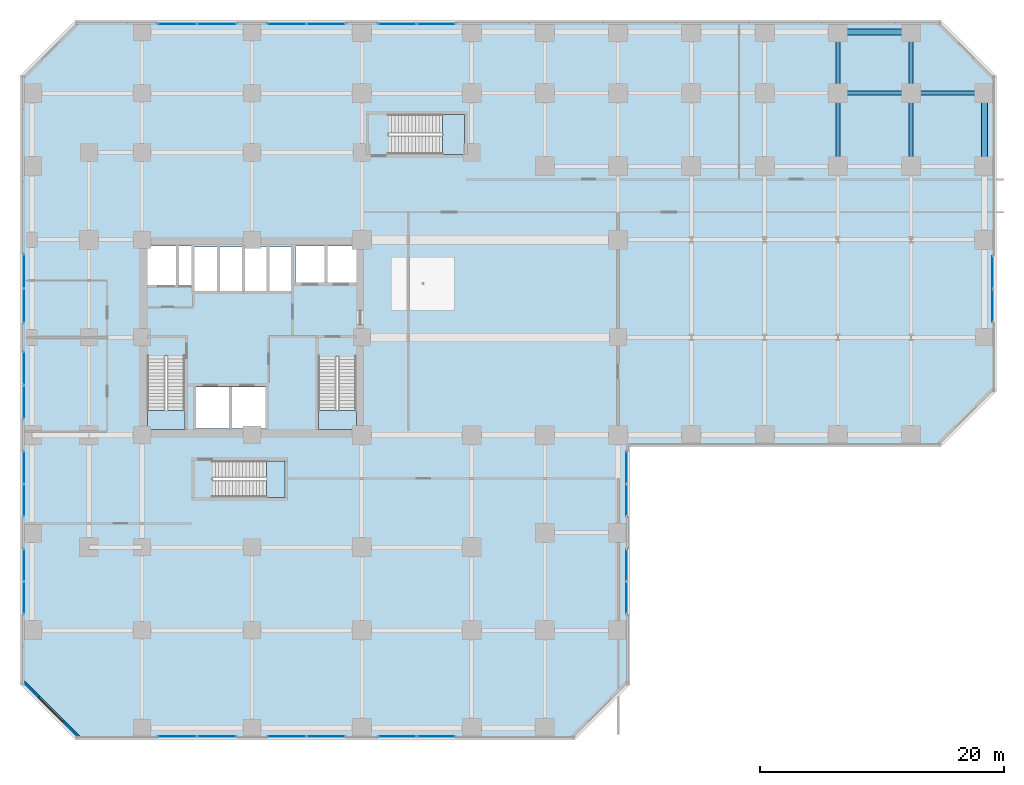
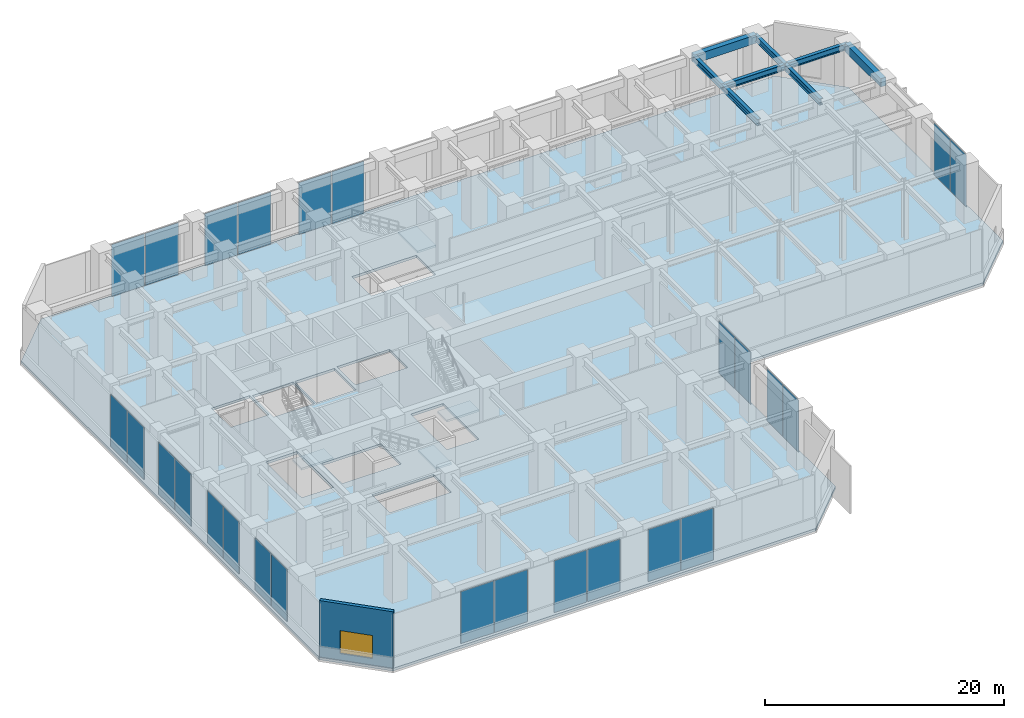
# One storey, part 23 of 34: 26 plates, 8 beams, 5 slabs, 1 wall, 1 window, 1 opening, 17 elements without a shape of their own.
"""IFC4 building model written with IfcOpenShell, lengths in metres."""

from ifc_helpers import new_model, si_unit, direction, frame, frame_2d, origin, origin_2d, place, context, subcontext, project, spatial, polyline, rectangle, i_section, outline, extrude, source, transform, mapped, material, layer, layer_set, material_profile, profile_set, type_object, element, fill, aggregate, save


model = new_model("IFC4")

# Units and contexts
model_context = context("Model", 3, precision=1e-05, world=origin(), true_north=direction((0.0, 1.0)))
body_context = subcontext(model_context, "Body", "Model", "MODEL_VIEW")
ifc_project = project(units=[si_unit("LENGTHUNIT", "METRE"), si_unit("AREAUNIT", "SQUARE_METRE"), si_unit("VOLUMEUNIT", "CUBIC_METRE"), si_unit("PLANEANGLEUNIT", "RADIAN"), si_unit("MASSUNIT", "GRAM", prefix="KILO")], contexts=[model_context])

# Site, building, storey
site_placement = place(None, origin())
site = spatial("IfcSite", under=ifc_project, at=site_placement, CompositionType="ELEMENT")
building_placement = place(site_placement, origin())
building = spatial("IfcBuilding", under=site, at=building_placement, Name="Torre Montelarca", CompositionType="ELEMENT")
storey_placement = place(building_placement, frame((0.0, 0.0, 6.0)))
storey = spatial("IfcBuildingStorey", under=building, at=storey_placement, Name="L02", CompositionType="ELEMENT", Elevation=6.0)

# Beams
ifc_material_1 = material(Name="Concrete C55/67", Category="concrete")
ifc_material_profile_1 = material_profile(ifc_material_1, rectangle(XDim=0.5, YDim=0.85009765625, at=origin_2d()), Name="RCB500X850", Category="concrete")
ifc_profile_set_1 = profile_set([ifc_material_profile_1], Name="Concrete C55/67")
beam_type_1 = type_object("IfcBeamType", Name="BM-SP-RC850-EXT", PredefinedType="SPANDREL", material=ifc_profile_set_1)
shared_shape_1 = source(origin(), body_context, "Body", "SweptSolid", [
    extrude(rectangle(XDim=0.5, YDim=0.85009765625, at=origin_2d()), origin(), (0.0, 0.0, 1.0), 6.0),
])
for number, where, z_axis, x_axis, name in (
    (1, (66.0, 57.0, 5.31494140625), (1.0, 0.0, 0.0), (0.0, 1.0, 0.0), "L02 Grid Girder X 66.0-72.0 at Y=57.0"),
    (2, (78.0, 46.0, 5.31494140625), (0.0, 1.0, 0.0), (-1.0, 0.0, 0.0), "L02 Grid Girder Y 46.0-52.0 at X=78.0"),
):
    element("IfcBeam", number, at=place(storey_placement, frame(where, z_axis=z_axis, x_axis=x_axis)), inside=storey, type_object=beam_type_1, Name=name, PredefinedType="SPANDREL", context=body_context, shape_type="MappedRepresentation", body=[
        mapped(shared_shape_1, transform((0.0, 0.0, 0.0), scale=1.0)),
    ])
ifc_material_2 = material(Name="Steel ASTM A992 Grade 50", Category="steel")
ifc_material_profile_2 = material_profile(ifc_material_2, i_section(OverallWidth=0.326904296875, OverallDepth=0.6220703125, WebThickness=0.015380859375, FlangeThickness=0.0244140625, FilletRadius=0.014892578125, at=origin_2d()), Name="W610X195", Category="steel")
ifc_profile_set_2 = profile_set([ifc_material_profile_2], Name="Steel ASTM A992 Grade 50")
beam_type_2 = type_object("IfcBeamType", Name="BM-G-W610H", PredefinedType="BEAM", material=ifc_profile_set_2)
shared_shape_2 = source(origin(), body_context, "Body", "SweptSolid", [
    extrude(i_section(OverallWidth=0.326904296875, OverallDepth=0.6220703125, WebThickness=0.015380859375, FlangeThickness=0.0244140625, FilletRadius=0.014892578125, at=origin_2d()), origin(), (0.0, 0.0, 1.0), 6.0),
])
for number, where, z_axis, x_axis, name in (
    (3, (66.0, 52.0, 5.428955078125), (1.0, 0.0, 0.0), (0.0, 1.0, 0.0), "L02 Grid Girder X 66.0-72.0 at Y=52.0"),
    (4, (72.0, 52.0, 5.428955078125), (1.0, 0.0, 0.0), (0.0, 1.0, 0.0), "L02 Grid Girder X 72.0-78.0 at Y=52.0"),
    (5, (66.0, 46.0, 5.428955078125), (0.0, 1.0, 0.0), (-1.0, 0.0, 0.0), "L02 Grid Girder Y 46.0-52.0 at X=66.0"),
    (6, (72.0, 46.0, 5.428955078125), (0.0, 1.0, 0.0), (-1.0, 0.0, 0.0), "L02 Grid Girder Y 46.0-52.0 at X=72.0"),
):
    element("IfcBeam", number, at=place(storey_placement, frame(where, z_axis=z_axis, x_axis=x_axis)), inside=storey, type_object=beam_type_2, Name=name, PredefinedType="BEAM", context=body_context, shape_type="MappedRepresentation", body=[
        mapped(shared_shape_2, transform((0.0, 0.0, 0.0), scale=1.0)),
    ])
shared_shape_3 = source(origin(), body_context, "Body", "SweptSolid", [
    extrude(i_section(OverallWidth=0.326904296875, OverallDepth=0.6220703125, WebThickness=0.015380859375, FlangeThickness=0.0244140625, FilletRadius=0.014892578125, at=origin_2d()), origin(), (0.0, 0.0, 1.0), 5.0),
])
for number, where, z_axis, x_axis, name in (
    (7, (66.0, 52.0, 5.428955078125), (0.0, 1.0, 0.0), (-1.0, 0.0, 0.0), "L02 Grid Girder Y 52.0-57.0 at X=66.0"),
    (8, (72.0, 52.0, 5.428955078125), (0.0, 1.0, 0.0), (-1.0, 0.0, 0.0), "L02 Grid Girder Y 52.0-57.0 at X=72.0"),
):
    element("IfcBeam", number, at=place(storey_placement, frame(where, z_axis=z_axis, x_axis=x_axis)), inside=storey, type_object=beam_type_2, Name=name, PredefinedType="BEAM", context=body_context, shape_type="MappedRepresentation", body=[
        mapped(shared_shape_3, transform((0.0, 0.0, 0.0), scale=1.0)),
    ])

# Slab
ifc_material_3 = material(Name="Concrete C40/50", Category="concrete")
ifc_layer_1 = layer(ifc_material_3, 0.260009765625, Name="Concrete C40/50", Category="concrete")
ifc_layer_set_1 = layer_set([ifc_layer_1], Name="Concrete C40/50")
slab_type_1 = type_object("IfcSlabType", Name="SL-FLR-260", PredefinedType="FLOOR", material=ifc_layer_set_1)
slab_1_placement = place(storey_placement, frame((0.0, 0.0, -0.260009765625)))
element("IfcSlab", 9, at=slab_1_placement, inside=storey, type_object=slab_type_1, Name="L02 Structural Floor Slab", PredefinedType="FLOOR", context=body_context, shape_type="SweptSolid", body=[
    extrude(outline(polyline([(44.39990234375, -0.89990234375), (48.89990234375, 3.60009765625), (48.89990234375, 23.10009765625), (74.39990234375, 23.10009765625), (78.89990234375, 27.60009765625), (78.89990234375, 53.39990234375), (74.39990234375, 57.89990234375), (3.60009765625, 57.89990234375), (-0.89990234375, 53.39990234375), (-0.89990234375, 3.60009765625), (3.60009765625, -0.89990234375), (44.39990234375, -0.89990234375)]), holes=[polyline([(20.699951171875, 18.89990234375), (14.760009765625, 18.89990234375), (14.760009765625, 21.889892578125), (20.699951171875, 21.889892578125), (20.699951171875, 18.89990234375)]), polyline([(19.10009765625, 24.550048828125), (13.39990234375, 24.550048828125), (13.39990234375, 27.949951171875), (19.10009765625, 27.949951171875), (19.10009765625, 24.550048828125)]), polyline([(23.43994140625, 24.449951171875), (23.43994140625, 30.429931640625), (26.550048828125, 30.429931640625), (26.550048828125, 24.449951171875), (23.43994140625, 24.449951171875)]), polyline([(9.449951171875, 24.449951171875), (9.449951171875, 30.4599609375), (12.5, 30.4599609375), (12.5, 24.449951171875), (9.449951171875, 24.449951171875)]), polyline([(17.25, 35.800048828125), (13.300048828125, 35.800048828125), (13.300048828125, 39.39990234375), (17.25, 39.39990234375), (17.25, 35.800048828125)]), polyline([(21.25, 35.800048828125), (17.39990234375, 35.800048828125), (17.39990234375, 39.39990234375), (21.25, 39.39990234375), (21.25, 35.800048828125)]), polyline([(13.1201171875, 36.300048828125), (9.449951171875, 36.300048828125), (9.449951171875, 39.5), (13.1201171875, 39.5), (13.1201171875, 36.300048828125)]), polyline([(21.550048828125, 36.449951171875), (21.550048828125, 39.5), (26.60009765625, 39.5), (26.60009765625, 36.449951171875), (21.550048828125, 36.449951171875)]), polyline([(29.18994140625, 47.0), (29.18994140625, 50.25), (35.39990234375, 50.25), (35.39990234375, 47.0), (29.18994140625, 47.0)])]), origin(), (0.0, 0.0, 1.0), 0.260009765625),
])

# Stair, slab
stair_type_1 = type_object("IfcStairType", Name="ST-CORE-ST1", PredefinedType="HALF_TURN_STAIR", material=ifc_material_3)
stair_1_placement = place(storey_placement, origin())
stair_1 = element("IfcStair", 10, at=stair_1_placement, inside=storey, type_object=stair_type_1, Name="L02 Protected Exit Stair ST1", PredefinedType="HALF_TURN_STAIR")
ifc_layer_2 = layer(ifc_material_3, 0.199951171875, Name="Concrete C40/50", Category="concrete")
ifc_layer_set_2 = layer_set([ifc_layer_2], Name="Concrete C40/50")
slab_type_2 = type_object("IfcSlabType", Name="SL-ST-LAND-ST1", PredefinedType="LANDING", material=ifc_layer_set_2)
slab_2_placement = place(storey_placement, frame((0.0, 0.0, 2.800048828125)))
slab_2 = element("IfcSlab", 11, at=slab_2_placement, type_object=slab_type_2, Name="ST1 landing 1", PredefinedType="LANDING", context=body_context, shape_type="SweptSolid", body=[
    extrude(outline(polyline([(9.449951171875, 26.02001953125), (9.449951171875, 24.449951171875), (12.5, 24.449951171875), (12.5, 26.02001953125), (9.449951171875, 26.02001953125)])), origin(), (0.0, 0.0, 1.0), 0.199951171875),
])
aggregate(stair_1, [slab_2])

stair_type_2 = type_object("IfcStairType", Name="ST-CORE-ST2", PredefinedType="HALF_TURN_STAIR", material=ifc_material_3)
stair_2_placement = place(storey_placement, origin())
stair_2 = element("IfcStair", 12, at=stair_2_placement, inside=storey, type_object=stair_type_2, Name="L02 Protected Exit Stair ST2", PredefinedType="HALF_TURN_STAIR")
ifc_layer_3 = layer(ifc_material_3, 0.199951171875, Name="Concrete C40/50", Category="concrete")
ifc_layer_set_3 = layer_set([ifc_layer_3], Name="Concrete C40/50")
slab_type_3 = type_object("IfcSlabType", Name="SL-ST-LAND-ST2", PredefinedType="LANDING", material=ifc_layer_set_3)
slab_3_placement = place(storey_placement, frame((0.0, 0.0, 2.800048828125)))
slab_3 = element("IfcSlab", 13, at=slab_3_placement, type_object=slab_type_3, Name="ST2 landing 1", PredefinedType="LANDING", context=body_context, shape_type="SweptSolid", body=[
    extrude(outline(polyline([(23.43994140625, 25.989990234375), (23.43994140625, 24.449951171875), (26.550048828125, 24.449951171875), (26.550048828125, 25.989990234375), (23.43994140625, 25.989990234375)])), origin(), (0.0, 0.0, 1.0), 0.199951171875),
])
aggregate(stair_2, [slab_3])

stair_type_3 = type_object("IfcStairType", Name="ST-CORE-ST3", PredefinedType="HALF_TURN_STAIR", material=ifc_material_3)
stair_3_placement = place(storey_placement, origin())
stair_3 = element("IfcStair", 14, at=stair_3_placement, inside=storey, type_object=stair_type_3, Name="L02 Low-Rise Exit Stair ST3", PredefinedType="HALF_TURN_STAIR")
ifc_layer_4 = layer(ifc_material_3, 0.199951171875, Name="Concrete C40/50", Category="concrete")
ifc_layer_set_4 = layer_set([ifc_layer_4], Name="Concrete C40/50")
slab_type_4 = type_object("IfcSlabType", Name="SL-ST-LAND-ST3", PredefinedType="LANDING", material=ifc_layer_set_4)
slab_4_placement = place(storey_placement, frame((0.0, 0.0, 2.800048828125)))
slab_4 = element("IfcSlab", 15, at=slab_4_placement, type_object=slab_type_4, Name="ST3 landing 1", PredefinedType="LANDING", context=body_context, shape_type="SweptSolid", body=[
    extrude(outline(polyline([(19.199951171875, 18.89990234375), (20.699951171875, 18.89990234375), (20.699951171875, 21.889892578125), (19.199951171875, 21.889892578125), (19.199951171875, 18.89990234375)])), origin(), (0.0, 0.0, 1.0), 0.199951171875),
])
aggregate(stair_3, [slab_4])

stair_type_4 = type_object("IfcStairType", Name="ST-CORE-ST4", PredefinedType="HALF_TURN_STAIR", material=ifc_material_3)
stair_4_placement = place(storey_placement, origin())
stair_4 = element("IfcStair", 16, at=stair_4_placement, inside=storey, type_object=stair_type_4, Name="L02 Podium Exchange Feature Stair ST4", PredefinedType="HALF_TURN_STAIR")
ifc_layer_5 = layer(ifc_material_3, 0.199951171875, Name="Concrete C40/50", Category="concrete")
ifc_layer_set_5 = layer_set([ifc_layer_5], Name="Concrete C40/50")
slab_type_5 = type_object("IfcSlabType", Name="SL-ST-LAND-ST4", PredefinedType="LANDING", material=ifc_layer_set_5)
slab_5_placement = place(storey_placement, frame((0.0, 0.0, 2.800048828125)))
slab_5 = element("IfcSlab", 17, at=slab_5_placement, type_object=slab_type_5, Name="ST4 landing 1", PredefinedType="LANDING", context=body_context, shape_type="SweptSolid", body=[
    extrude(outline(polyline([(33.6298828125, 47.0), (35.39990234375, 47.0), (35.39990234375, 50.25), (33.6298828125, 50.25), (33.6298828125, 47.0)])), origin(), (0.0, 0.0, 1.0), 0.199951171875),
])
aggregate(stair_4, [slab_5])

# Curtain wall, plates
ifc_material_4 = material(Name="Insulated low-E laminated glass", Category="glass")
curtain_wall_type = type_object("IfcCurtainWallType", Name="CW-SYS-POD2", PredefinedType="USERDEFINED", material=ifc_material_4)
curtain_wall_1_placement = place(storey_placement, origin())
curtain_wall_1 = element("IfcCurtainWall", 18, at=curtain_wall_1_placement, inside=storey, type_object=curtain_wall_type, Name="L02 Curtain Wall Run CW-T3-L02-E01-B1", ObjectType="UNITISED GLAZING", PredefinedType="USERDEFINED")
ifc_layer_6 = layer(ifc_material_4, 0.035888671875, Name="Insulated low-E laminated glass", Category="glass")
ifc_layer_set_6 = layer_set([ifc_layer_6], Name="Insulated low-E laminated glass")
plate_type = type_object("IfcPlateType", Name="CWP-GLZ-36", PredefinedType="CURTAIN_PANEL", material=ifc_layer_set_6)
shared_shape_4 = source(origin(), body_context, "Body", "SweptSolid", [
    extrude(rectangle(XDim=3.1826171875, YDim=0.035888671875, at=origin_2d()), origin(), (0.0, 0.0, 1.0), 5.300048828125),
])
plate_1_placement = place(storey_placement, frame((11.871337890625, -0.679931640625, 0.0751953125), z_axis=(0.0, 0.0, 1.0), x_axis=(1.0, 0.0, 0.0)))
plate_1 = element("IfcPlate", 19, at=plate_1_placement, type_object=plate_type, Name="CW panel 1.1", PredefinedType="CURTAIN_PANEL", context=body_context, shape_type="MappedRepresentation", body=[
    mapped(shared_shape_4, transform((0.0, 0.0, 0.0), scale=1.0)),
])
plate_2_placement = place(storey_placement, frame((15.128662109375, -0.679931640625, 0.0751953125), z_axis=(0.0, 0.0, 1.0), x_axis=(1.0, 0.0, 0.0)))
plate_2 = element("IfcPlate", 20, at=plate_2_placement, type_object=plate_type, Name="CW panel 2.1", PredefinedType="CURTAIN_PANEL", context=body_context, shape_type="MappedRepresentation", body=[
    mapped(shared_shape_4, transform((0.0, 0.0, 0.0), scale=1.0)),
])
aggregate(curtain_wall_1, [plate_1, plate_2])

curtain_wall_2_placement = place(storey_placement, origin())
curtain_wall_2 = element("IfcCurtainWall", 21, at=curtain_wall_2_placement, inside=storey, type_object=curtain_wall_type, Name="L02 Curtain Wall Run CW-T3-L02-E08-B3", ObjectType="UNITISED GLAZING", PredefinedType="USERDEFINED")
plate_3_placement = place(storey_placement, frame((15.128662109375, 57.679931640625, 0.0751953125), z_axis=(0.0, 0.0, 1.0), x_axis=(-1.0, 0.0, 0.0)))
plate_3 = element("IfcPlate", 22, at=plate_3_placement, type_object=plate_type, Name="CW panel 1.1", PredefinedType="CURTAIN_PANEL", context=body_context, shape_type="MappedRepresentation", body=[
    mapped(shared_shape_4, transform((0.0, 0.0, 0.0), scale=1.0)),
])
plate_4_placement = place(storey_placement, frame((11.871337890625, 57.679931640625, 0.0751953125), z_axis=(0.0, 0.0, 1.0), x_axis=(-1.0, 0.0, 0.0)))
plate_4 = element("IfcPlate", 23, at=plate_4_placement, type_object=plate_type, Name="CW panel 2.1", PredefinedType="CURTAIN_PANEL", context=body_context, shape_type="MappedRepresentation", body=[
    mapped(shared_shape_4, transform((0.0, 0.0, 0.0), scale=1.0)),
])
aggregate(curtain_wall_2, [plate_3, plate_4])

curtain_wall_3_placement = place(storey_placement, origin())
curtain_wall_3 = element("IfcCurtainWall", 24, at=curtain_wall_3_placement, inside=storey, type_object=curtain_wall_type, Name="L02 Curtain Wall Run CW-T3-L02-E01-B2", ObjectType="UNITISED GLAZING", PredefinedType="USERDEFINED")
shared_shape_5 = source(origin(), body_context, "Body", "SweptSolid", [
    extrude(rectangle(XDim=3.14501953125, YDim=0.035888671875, at=origin_2d()), origin(), (0.0, 0.0, 1.0), 5.300048828125),
])
plate_5_placement = place(storey_placement, frame((20.8525390625, -0.679931640625, 0.0751953125), z_axis=(0.0, 0.0, 1.0), x_axis=(1.0, 0.0, 0.0)))
plate_5 = element("IfcPlate", 25, at=plate_5_placement, type_object=plate_type, Name="CW panel 1.1", PredefinedType="CURTAIN_PANEL", context=body_context, shape_type="MappedRepresentation", body=[
    mapped(shared_shape_5, transform((0.0, 0.0, 0.0), scale=1.0)),
])
plate_6_placement = place(storey_placement, frame((24.072509765625, -0.679931640625, 0.0751953125), z_axis=(0.0, 0.0, 1.0), x_axis=(1.0, 0.0, 0.0)))
plate_6 = element("IfcPlate", 26, at=plate_6_placement, type_object=plate_type, Name="CW panel 2.1", PredefinedType="CURTAIN_PANEL", context=body_context, shape_type="MappedRepresentation", body=[
    mapped(shared_shape_5, transform((0.0, 0.0, 0.0), scale=1.0)),
])
aggregate(curtain_wall_3, [plate_5, plate_6])

curtain_wall_4_placement = place(storey_placement, origin())
curtain_wall_4 = element("IfcCurtainWall", 27, at=curtain_wall_4_placement, inside=storey, type_object=curtain_wall_type, Name="L02 Curtain Wall Run CW-T3-L02-E08-B2", ObjectType="UNITISED GLAZING", PredefinedType="USERDEFINED")
plate_7_placement = place(storey_placement, frame((24.072509765625, 57.679931640625, 0.0751953125), z_axis=(0.0, 0.0, 1.0), x_axis=(-1.0, 0.0, 0.0)))
plate_7 = element("IfcPlate", 28, at=plate_7_placement, type_object=plate_type, Name="CW panel 1.1", PredefinedType="CURTAIN_PANEL", context=body_context, shape_type="MappedRepresentation", body=[
    mapped(shared_shape_5, transform((0.0, 0.0, 0.0), scale=1.0)),
])
plate_8_placement = place(storey_placement, frame((20.8525390625, 57.679931640625, 0.0751953125), z_axis=(0.0, 0.0, 1.0), x_axis=(-1.0, 0.0, 0.0)))
plate_8 = element("IfcPlate", 29, at=plate_8_placement, type_object=plate_type, Name="CW panel 2.1", PredefinedType="CURTAIN_PANEL", context=body_context, shape_type="MappedRepresentation", body=[
    mapped(shared_shape_5, transform((0.0, 0.0, 0.0), scale=1.0)),
])
aggregate(curtain_wall_4, [plate_7, plate_8])

curtain_wall_5_placement = place(storey_placement, origin())
curtain_wall_5 = element("IfcCurtainWall", 30, at=curtain_wall_5_placement, inside=storey, type_object=curtain_wall_type, Name="L02 Curtain Wall Run CW-T3-L02-E01-B3", ObjectType="UNITISED GLAZING", PredefinedType="USERDEFINED")
shared_shape_6 = source(origin(), body_context, "Body", "SweptSolid", [
    extrude(rectangle(XDim=3.107421875, YDim=0.035888671875, at=origin_2d()), origin(), (0.0, 0.0, 1.0), 5.300048828125),
])
plate_9_placement = place(storey_placement, frame((29.90869140625, -0.679931640625, 0.0751953125), z_axis=(0.0, 0.0, 1.0), x_axis=(1.0, 0.0, 0.0)))
plate_9 = element("IfcPlate", 31, at=plate_9_placement, type_object=plate_type, Name="CW panel 1.1", PredefinedType="CURTAIN_PANEL", context=body_context, shape_type="MappedRepresentation", body=[
    mapped(shared_shape_6, transform((0.0, 0.0, 0.0), scale=1.0)),
])
plate_10_placement = place(storey_placement, frame((33.09130859375, -0.679931640625, 0.0751953125), z_axis=(0.0, 0.0, 1.0), x_axis=(1.0, 0.0, 0.0)))
plate_10 = element("IfcPlate", 32, at=plate_10_placement, type_object=plate_type, Name="CW panel 2.1", PredefinedType="CURTAIN_PANEL", context=body_context, shape_type="MappedRepresentation", body=[
    mapped(shared_shape_6, transform((0.0, 0.0, 0.0), scale=1.0)),
])
aggregate(curtain_wall_5, [plate_9, plate_10])

curtain_wall_6_placement = place(storey_placement, origin())
curtain_wall_6 = element("IfcCurtainWall", 33, at=curtain_wall_6_placement, inside=storey, type_object=curtain_wall_type, Name="L02 Curtain Wall Run CW-T3-L02-E08-B1", ObjectType="UNITISED GLAZING", PredefinedType="USERDEFINED")
plate_11_placement = place(storey_placement, frame((33.09130859375, 57.679931640625, 0.0751953125), z_axis=(0.0, 0.0, 1.0), x_axis=(-1.0, 0.0, 0.0)))
plate_11 = element("IfcPlate", 34, at=plate_11_placement, type_object=plate_type, Name="CW panel 1.1", PredefinedType="CURTAIN_PANEL", context=body_context, shape_type="MappedRepresentation", body=[
    mapped(shared_shape_6, transform((0.0, 0.0, 0.0), scale=1.0)),
])
plate_12_placement = place(storey_placement, frame((29.90869140625, 57.679931640625, 0.0751953125), z_axis=(0.0, 0.0, 1.0), x_axis=(-1.0, 0.0, 0.0)))
plate_12 = element("IfcPlate", 35, at=plate_12_placement, type_object=plate_type, Name="CW panel 2.1", PredefinedType="CURTAIN_PANEL", context=body_context, shape_type="MappedRepresentation", body=[
    mapped(shared_shape_6, transform((0.0, 0.0, 0.0), scale=1.0)),
])
aggregate(curtain_wall_6, [plate_11, plate_12])

curtain_wall_7_placement = place(storey_placement, origin())
curtain_wall_7 = element("IfcCurtainWall", 36, at=curtain_wall_7_placement, inside=storey, type_object=curtain_wall_type, Name="L02 Curtain Wall Run CW-T3-L02-E03-B1", ObjectType="UNITISED GLAZING", PredefinedType="USERDEFINED")
shared_shape_7 = source(origin(), body_context, "Body", "SweptSolid", [
    extrude(rectangle(XDim=2.607421875, YDim=0.035888671875, at=origin_2d()), origin(), (0.0, 0.0, 1.0), 5.300048828125),
])
plate_13_placement = place(storey_placement, frame((48.679931640625, 10.65869140625, 0.0751953125), z_axis=(0.0, 0.0, 1.0), x_axis=(0.0, 1.0, 0.0)))
plate_13 = element("IfcPlate", 37, at=plate_13_placement, type_object=plate_type, Name="CW panel 1.1", PredefinedType="CURTAIN_PANEL", context=body_context, shape_type="MappedRepresentation", body=[
    mapped(shared_shape_7, transform((0.0, 0.0, 0.0), scale=1.0)),
])
plate_14_placement = place(storey_placement, frame((48.679931640625, 13.34130859375, 0.0751953125), z_axis=(0.0, 0.0, 1.0), x_axis=(0.0, 1.0, 0.0)))
plate_14 = element("IfcPlate", 38, at=plate_14_placement, type_object=plate_type, Name="CW panel 2.1", PredefinedType="CURTAIN_PANEL", context=body_context, shape_type="MappedRepresentation", body=[
    mapped(shared_shape_7, transform((0.0, 0.0, 0.0), scale=1.0)),
])
aggregate(curtain_wall_7, [plate_13, plate_14])

curtain_wall_8_placement = place(storey_placement, origin())
curtain_wall_8 = element("IfcCurtainWall", 39, at=curtain_wall_8_placement, inside=storey, type_object=curtain_wall_type, Name="L02 Curtain Wall Run CW-T3-L02-E03-B2", ObjectType="UNITISED GLAZING", PredefinedType="USERDEFINED")
plate_15_placement = place(storey_placement, frame((48.679931640625, 18.65869140625, 0.0751953125), z_axis=(0.0, 0.0, 1.0), x_axis=(0.0, 1.0, 0.0)))
plate_15 = element("IfcPlate", 40, at=plate_15_placement, type_object=plate_type, Name="CW panel 1.1", PredefinedType="CURTAIN_PANEL", context=body_context, shape_type="MappedRepresentation", body=[
    mapped(shared_shape_7, transform((0.0, 0.0, 0.0), scale=1.0)),
])
plate_16_placement = place(storey_placement, frame((48.679931640625, 21.34130859375, 0.0751953125), z_axis=(0.0, 0.0, 1.0), x_axis=(0.0, 1.0, 0.0)))
plate_16 = element("IfcPlate", 41, at=plate_16_placement, type_object=plate_type, Name="CW panel 2.1", PredefinedType="CURTAIN_PANEL", context=body_context, shape_type="MappedRepresentation", body=[
    mapped(shared_shape_7, transform((0.0, 0.0, 0.0), scale=1.0)),
])
aggregate(curtain_wall_8, [plate_15, plate_16])

curtain_wall_9_placement = place(storey_placement, origin())
curtain_wall_9 = element("IfcCurtainWall", 42, at=curtain_wall_9_placement, inside=storey, type_object=curtain_wall_type, Name="L02 Curtain Wall Run CW-T3-L02-E10-B3", ObjectType="UNITISED GLAZING", PredefinedType="USERDEFINED")
plate_17_placement = place(storey_placement, frame((-0.679931640625, 21.34130859375, 0.0751953125), z_axis=(0.0, 0.0, 1.0), x_axis=(0.0, -1.0, 0.0)))
plate_17 = element("IfcPlate", 43, at=plate_17_placement, type_object=plate_type, Name="CW panel 1.1", PredefinedType="CURTAIN_PANEL", context=body_context, shape_type="MappedRepresentation", body=[
    mapped(shared_shape_7, transform((0.0, 0.0, 0.0), scale=1.0)),
])
plate_18_placement = place(storey_placement, frame((-0.679931640625, 18.65869140625, 0.0751953125), z_axis=(0.0, 0.0, 1.0), x_axis=(0.0, -1.0, 0.0)))
plate_18 = element("IfcPlate", 44, at=plate_18_placement, type_object=plate_type, Name="CW panel 2.1", PredefinedType="CURTAIN_PANEL", context=body_context, shape_type="MappedRepresentation", body=[
    mapped(shared_shape_7, transform((0.0, 0.0, 0.0), scale=1.0)),
])
aggregate(curtain_wall_9, [plate_17, plate_18])

curtain_wall_10_placement = place(storey_placement, origin())
curtain_wall_10 = element("IfcCurtainWall", 45, at=curtain_wall_10_placement, inside=storey, type_object=curtain_wall_type, Name="L02 Curtain Wall Run CW-T3-L02-E10-B4", ObjectType="UNITISED GLAZING", PredefinedType="USERDEFINED")
plate_19_placement = place(storey_placement, frame((-0.679931640625, 13.34130859375, 0.0751953125), z_axis=(0.0, 0.0, 1.0), x_axis=(0.0, -1.0, 0.0)))
plate_19 = element("IfcPlate", 46, at=plate_19_placement, type_object=plate_type, Name="CW panel 1.1", PredefinedType="CURTAIN_PANEL", context=body_context, shape_type="MappedRepresentation", body=[
    mapped(shared_shape_7, transform((0.0, 0.0, 0.0), scale=1.0)),
])
plate_20_placement = place(storey_placement, frame((-0.679931640625, 10.65869140625, 0.0751953125), z_axis=(0.0, 0.0, 1.0), x_axis=(0.0, -1.0, 0.0)))
plate_20 = element("IfcPlate", 47, at=plate_20_placement, type_object=plate_type, Name="CW panel 2.1", PredefinedType="CURTAIN_PANEL", context=body_context, shape_type="MappedRepresentation", body=[
    mapped(shared_shape_7, transform((0.0, 0.0, 0.0), scale=1.0)),
])
aggregate(curtain_wall_10, [plate_19, plate_20])

curtain_wall_11_placement = place(storey_placement, origin())
curtain_wall_11 = element("IfcCurtainWall", 48, at=curtain_wall_11_placement, inside=storey, type_object=curtain_wall_type, Name="L02 Curtain Wall Run CW-T3-L02-E06-B1", ObjectType="UNITISED GLAZING", PredefinedType="USERDEFINED")
shared_shape_8 = source(origin(), body_context, "Body", "SweptSolid", [
    extrude(rectangle(XDim=2.64501953125, YDim=0.035888671875, at=origin_2d()), origin(), (0.0, 0.0, 1.0), 5.300048828125),
])
plate_21_placement = place(storey_placement, frame((78.679931640625, 34.6025390625, 0.0751953125), z_axis=(0.0, 0.0, 1.0), x_axis=(0.0, 1.0, 0.0)))
plate_21 = element("IfcPlate", 49, at=plate_21_placement, type_object=plate_type, Name="CW panel 1.1", PredefinedType="CURTAIN_PANEL", context=body_context, shape_type="MappedRepresentation", body=[
    mapped(shared_shape_8, transform((0.0, 0.0, 0.0), scale=1.0)),
])
plate_22_placement = place(storey_placement, frame((78.679931640625, 37.322509765625, 0.0751953125), z_axis=(0.0, 0.0, 1.0), x_axis=(0.0, 1.0, 0.0)))
plate_22 = element("IfcPlate", 50, at=plate_22_placement, type_object=plate_type, Name="CW panel 2.1", PredefinedType="CURTAIN_PANEL", context=body_context, shape_type="MappedRepresentation", body=[
    mapped(shared_shape_8, transform((0.0, 0.0, 0.0), scale=1.0)),
])
aggregate(curtain_wall_11, [plate_21, plate_22])

curtain_wall_12_placement = place(storey_placement, origin())
curtain_wall_12 = element("IfcCurtainWall", 51, at=curtain_wall_12_placement, inside=storey, type_object=curtain_wall_type, Name="L02 Curtain Wall Run CW-T3-L02-E10-B1", ObjectType="UNITISED GLAZING", PredefinedType="USERDEFINED")
shared_shape_9 = source(origin(), body_context, "Body", "SweptSolid", [
    extrude(rectangle(XDim=2.757568359375, YDim=0.035888671875, at=origin_2d()), origin(), (0.0, 0.0, 1.0), 5.300048828125),
])
plate_23_placement = place(storey_placement, frame((-0.679931640625, 37.416259765625, 0.0751953125), z_axis=(0.0, 0.0, 1.0), x_axis=(0.0, -1.0, 0.0)))
plate_23 = element("IfcPlate", 52, at=plate_23_placement, type_object=plate_type, Name="CW panel 1.1", PredefinedType="CURTAIN_PANEL", context=body_context, shape_type="MappedRepresentation", body=[
    mapped(shared_shape_9, transform((0.0, 0.0, 0.0), scale=1.0)),
])
plate_24_placement = place(storey_placement, frame((-0.679931640625, 34.583740234375, 0.0751953125), z_axis=(0.0, 0.0, 1.0), x_axis=(0.0, -1.0, 0.0)))
plate_24 = element("IfcPlate", 53, at=plate_24_placement, type_object=plate_type, Name="CW panel 2.1", PredefinedType="CURTAIN_PANEL", context=body_context, shape_type="MappedRepresentation", body=[
    mapped(shared_shape_9, transform((0.0, 0.0, 0.0), scale=1.0)),
])
aggregate(curtain_wall_12, [plate_23, plate_24])

curtain_wall_13_placement = place(storey_placement, origin())
curtain_wall_13 = element("IfcCurtainWall", 54, at=curtain_wall_13_placement, inside=storey, type_object=curtain_wall_type, Name="L02 Curtain Wall Run CW-T3-L02-E10-B2", ObjectType="UNITISED GLAZING", PredefinedType="USERDEFINED")
shared_shape_10 = source(origin(), body_context, "Body", "SweptSolid", [
    extrude(rectangle(XDim=2.6826171875, YDim=0.035888671875, at=origin_2d()), origin(), (0.0, 0.0, 1.0), 5.300048828125),
])
plate_25_placement = place(storey_placement, frame((-0.679931640625, 29.453857421875, 0.0751953125), z_axis=(0.0, 0.0, 1.0), x_axis=(0.0, -1.0, 0.0)))
plate_25 = element("IfcPlate", 55, at=plate_25_placement, type_object=plate_type, Name="CW panel 1.1", PredefinedType="CURTAIN_PANEL", context=body_context, shape_type="MappedRepresentation", body=[
    mapped(shared_shape_10, transform((0.0, 0.0, 0.0), scale=1.0)),
])
plate_26_placement = place(storey_placement, frame((-0.679931640625, 26.6962890625, 0.0751953125), z_axis=(0.0, 0.0, 1.0), x_axis=(0.0, -1.0, 0.0)))
plate_26 = element("IfcPlate", 56, at=plate_26_placement, type_object=plate_type, Name="CW panel 2.1", PredefinedType="CURTAIN_PANEL", context=body_context, shape_type="MappedRepresentation", body=[
    mapped(shared_shape_10, transform((0.0, 0.0, 0.0), scale=1.0)),
])
aggregate(curtain_wall_13, [plate_25, plate_26])

# Wall, opening, window
ifc_material_5 = material(Name="Precast concrete C45/55", Category="concrete")
ifc_layer_7 = layer(ifc_material_5, 0.320068359375, Name="Precast concrete C45/55", Category="concrete")
ifc_layer_set_7 = layer_set([ifc_layer_7], Name="Precast concrete C45/55")
wall_type = type_object("IfcWallType", Name="EW-CONC-320", PredefinedType="SOLIDWALL", material=ifc_layer_set_7)
wall_placement = place(storey_placement, frame((-0.744384765625, 3.755615234375, 0.0), z_axis=(0.0, 0.0, 1.0), x_axis=(0.707106781187, -0.707106781187, 0.0)))
wall = element("IfcWall", 57, at=wall_placement, inside=storey, type_object=wall_type, Name="L02 Podium Precast Concrete Wall E11", PredefinedType="SOLIDWALL", context=body_context, shape_type="SweptSolid", body=[
    extrude(rectangle(XDim=6.364013671875, YDim=0.320068359375, at=frame_2d((3.18212890625, 0.0))), origin(), (0.0, 0.0, 1.0), 5.739990234375),
])
opening_placement = place(wall_placement, frame((1.781982421875, 0.0, 0.64990234375)))
opening = element("IfcOpeningElement", 58, at=opening_placement, cuts=wall, Name="Opening W-02", PredefinedType="OPENING", context=body_context, shape_type="SweptSolid", body=[
    extrude(rectangle(XDim=2.800048828125, YDim=2.35009765625, at=frame_2d((1.39990234375, 1.175048828125))), frame((0.0, 0.169921875, 0.0), z_axis=(0.0, -1.0, 0.0), x_axis=(1.0, 0.0, 0.0)), (0.0, 0.0, 1.0), 0.340087890625),
])
ifc_material_6 = material(Name="Insulated low-E laminated glass in aluminium frame", Category="aluminium")
window_type = type_object("IfcWindowType", Name="WIN-W02", PartitioningType="DOUBLE_PANEL_VERTICAL", PredefinedType="WINDOW", material=ifc_material_6)
shared_shape_11 = source(origin(), body_context, "Body", "SweptSolid", [
    extrude(rectangle(XDim=2.800048828125, YDim=2.35009765625, at=frame_2d((1.39990234375, 1.175048828125))), frame((0.0, 0.030029296875, 0.0), z_axis=(0.0, -1.0, 0.0), x_axis=(1.0, 0.0, 0.0)), (0.0, 0.0, 1.0), 0.06005859375),
])
window_placement = place(opening_placement, origin())
window = element("IfcWindow", 59, at=window_placement, inside=storey, type_object=window_type, Name="L02 Podium Chamfer Feature Window E11", OverallHeight=2.35009765625, OverallWidth=2.800048828125, PartitioningType="DOUBLE_PANEL_VERTICAL", PredefinedType="WINDOW", context=body_context, shape_type="MappedRepresentation", body=[
    mapped(shared_shape_11, transform((0.0, 0.0, 0.0), scale=1.0)),
])
fill(opening, window)

save(model, "model.ifc")
